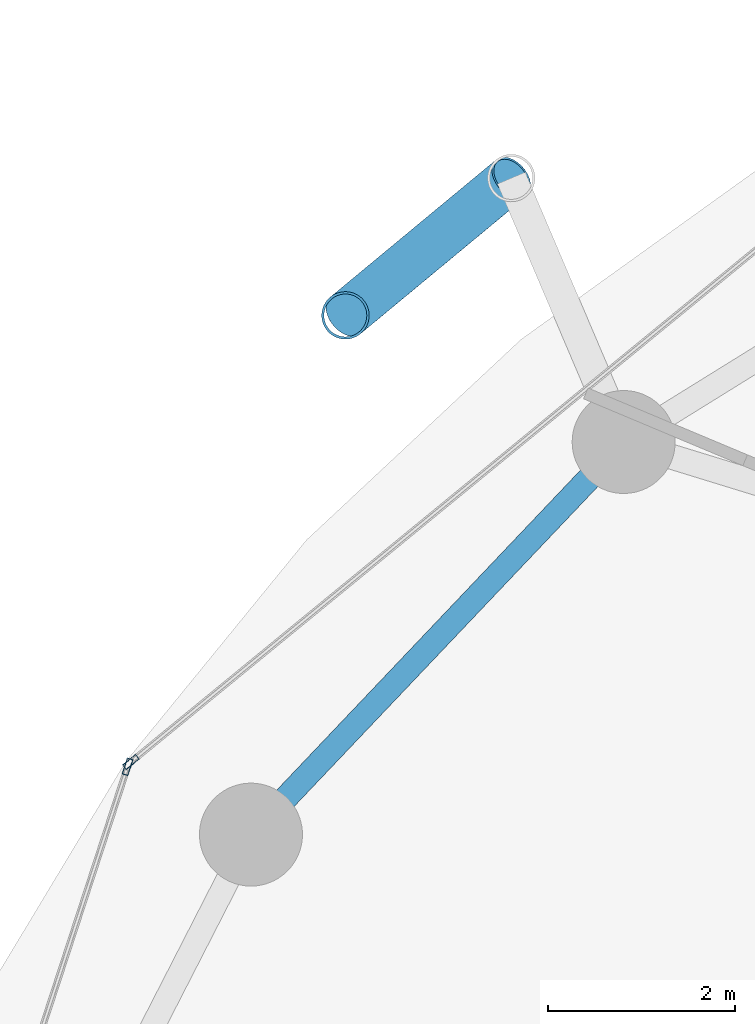
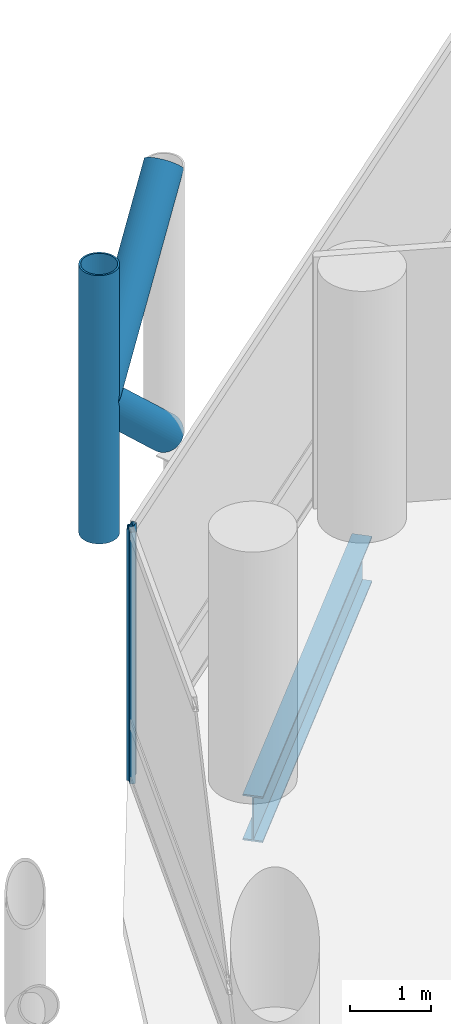
# One storey, part 13 of 26: 5 members, 1 beam, 2 elements without a shape of their own.
"""IFC4 building model written with IfcOpenShell, lengths in metres."""

from ifc_helpers import new_model, si_unit, direction, frame, origin, origin_2d, place, context, subcontext, project, spatial, hollow_rectangle, hollow_circle, i_section, extrude, material, layer, layer_set, material_profile, profile_set, type_object, element, aggregate, save


model = new_model("IFC4")

# Units and contexts
model_context = context("Model", 3, precision=1e-05, world=origin(), true_north=direction((0.0, 1.0)))
body_context = subcontext(model_context, "Body", "Model", "MODEL_VIEW")
ifc_project = project(units=[si_unit("LENGTHUNIT", "METRE"), si_unit("AREAUNIT", "SQUARE_METRE"), si_unit("VOLUMEUNIT", "CUBIC_METRE"), si_unit("PLANEANGLEUNIT", "RADIAN"), si_unit("MASSUNIT", "GRAM", prefix="KILO")], contexts=[model_context])

# Site, building, storey
site_placement = place(None, origin())
site = spatial("IfcSite", under=ifc_project, at=site_placement, CompositionType="ELEMENT")
building_placement = place(site_placement, origin())
building = spatial("IfcBuilding", under=site, at=building_placement, Name="Nuhasar Tower", CompositionType="ELEMENT")
storey_placement = place(building_placement, frame((0.0, 0.0, 53.39990234375)))
storey = spatial("IfcBuildingStorey", under=building, at=storey_placement, Name="L12", CompositionType="ELEMENT", Elevation=53.39990234375)

# Beam
ifc_material_1 = material(Name="Steel S355", Category="steel")
ifc_material_profile_1 = material_profile(ifc_material_1, i_section(OverallWidth=0.256103515625, OverallDepth=0.693115234375, WebThickness=0.014404296875, FlangeThickness=0.023681640625, at=origin_2d()), Name="W27X114")
ifc_profile_set_1 = profile_set([ifc_material_profile_1], Name="Steel S355")
beam_type = type_object("IfcBeamType", Name="BM-RING-W27X114", PredefinedType="SPANDREL", material=ifc_profile_set_1)
beam_placement = place(storey_placement, frame((21.287109375, 41.118896484375, -0.60595703125), z_axis=(-0.688480893507, -0.725254478976, 0.0), x_axis=(0.725254478976, -0.688480893507, 0.0)))
element("IfcBeam", 1, at=beam_placement, inside=storey, type_object=beam_type, Name="L12 Perimeter Ring Spandrel 10", PredefinedType="SPANDREL", context=body_context, shape_type="SweptSolid", body=[
    extrude(i_section(OverallWidth=0.256103515625, OverallDepth=0.693115234375, WebThickness=0.014404296875, FlangeThickness=0.023681640625, at=origin_2d()), origin(), (0.0, 0.0, 1.0), 5.782470703125),
])

# Curtain wall, member
ifc_material_2 = material(Name="Aluminium 6063-T6", Category="aluminium")
ifc_layer = layer(ifc_material_2, 0.199951171875)
ifc_layer_set = layer_set([ifc_layer], Name="Aluminium 6063-T6")
curtain_wall_type = type_object("IfcCurtainWallType", Name="CW-Z1-OFF", PredefinedType="NOTDEFINED", material=ifc_layer_set)
curtain_wall_1_placement = place(storey_placement, origin())
curtain_wall_1 = element("IfcCurtainWall", 2, at=curtain_wall_1_placement, inside=storey, type_object=curtain_wall_type, Name="L12 Unitised Curtain Wall 05", PredefinedType="NOTDEFINED")
ifc_material_profile_2 = material_profile(ifc_material_2, hollow_rectangle(XDim=0.06494140625, YDim=0.179931640625, WallThickness=0.0048828125, at=origin_2d()), Name="CWM-2")
ifc_profile_set_2 = profile_set([ifc_material_profile_2], Name="Aluminium 6063-T6")
member_type_1 = type_object("IfcMemberType", Name="CW-MUL-S2", PredefinedType="MULLION", material=ifc_profile_set_2)
member_1_placement = place(storey_placement, frame((16.023193359375, 37.70068359375, 0.0), z_axis=(0.0, 0.0, 1.0), x_axis=(0.633744593376, -0.773542364946, 0.0)))
member_1 = element("IfcMember", 3, at=member_1_placement, type_object=member_type_1, Name="CW-Z1 mullion 2", PredefinedType="MULLION", context=body_context, shape_type="SweptSolid", body=[
    extrude(hollow_rectangle(XDim=0.06494140625, YDim=0.179931640625, WallThickness=0.0048828125, at=origin_2d()), origin(), (0.0, 0.0, 1.0), 3.800048828125),
])
aggregate(curtain_wall_1, [member_1])

curtain_wall_2_placement = place(storey_placement, origin())
curtain_wall_2 = element("IfcCurtainWall", 4, at=curtain_wall_2_placement, inside=storey, type_object=curtain_wall_type, Name="L12 Unitised Curtain Wall 06", PredefinedType="NOTDEFINED")
member_2_placement = place(storey_placement, frame((15.98779296875, 37.649169921875, 0.0), z_axis=(0.0, 0.0, 1.0), x_axis=(0.950467534571, -0.310823849997, 0.0)))
member_2 = element("IfcMember", 5, at=member_2_placement, type_object=member_type_1, Name="CW-Z1 mullion 1", PredefinedType="MULLION", context=body_context, shape_type="SweptSolid", body=[
    extrude(hollow_rectangle(XDim=0.06494140625, YDim=0.179931640625, WallThickness=0.0048828125, at=origin_2d()), origin(), (0.0, 0.0, 1.0), 3.800048828125),
])
aggregate(curtain_wall_2, [member_2])

# Members
ifc_material_3 = material(Name="Steel S460", Category="steel")
ifc_material_profile_3 = material_profile(ifc_material_3, hollow_circle(Radius=0.25390625, WallThickness=0.025390625, at=origin_2d()), Name="HSS508X25.4")
ifc_profile_set_3 = profile_set([ifc_material_profile_3], Name="Steel S460")
member_type_2 = type_object("IfcMemberType", Name="EXO-BRONZE-508", PredefinedType="BRACE", material=ifc_profile_set_3)
member_3_placement = place(storey_placement, frame((18.31494140625, 42.470947265625, 0.0), z_axis=(0.0, 0.0, 1.0), x_axis=(1.0, 0.0, 0.0)))
element("IfcMember", 6, at=member_3_placement, inside=storey, type_object=member_type_2, Name="L12 Exoskeleton Chord Column EC-05B", PredefinedType="BRACE", context=body_context, shape_type="SweptSolid", body=[
    extrude(hollow_circle(Radius=0.25390625, WallThickness=0.025390625, at=origin_2d()), origin(), (0.0, 0.0, 1.0), 4.050048828125),
])
member_4_placement = place(storey_placement, frame((20.0869140625, 43.93896484375, 0.0), z_axis=(-0.578071194894, -0.478911834514, 0.660664172175), x_axis=(0.637969333506, -0.770061769929, 0.0)))
element("IfcMember", 7, at=member_4_placement, inside=storey, type_object=member_type_2, Name="L12 Bronze Diagrid Brace W1-05", PredefinedType="BRACE", context=body_context, shape_type="SweptSolid", body=[
    extrude(hollow_circle(Radius=0.25390625, WallThickness=0.025390625, at=origin_2d()), origin(), (0.0, 0.0, 1.0), 3.0654296875),
])
member_5_placement = place(storey_placement, frame((18.31494140625, 42.470947265625, 2.025146484375), z_axis=(0.578101613167, 0.478937034992, 0.660619286251), x_axis=(-0.637969333506, 0.770061769929, 0.0)))
element("IfcMember", 8, at=member_5_placement, inside=storey, type_object=member_type_2, Name="L12 Bronze Diagrid Brace W2-05", PredefinedType="BRACE", context=body_context, shape_type="SweptSolid", body=[
    extrude(hollow_circle(Radius=0.25390625, WallThickness=0.025390625, at=origin_2d()), origin(), (0.0, 0.0, 1.0), 3.065185546875),
])

save(model, "model.ifc")
